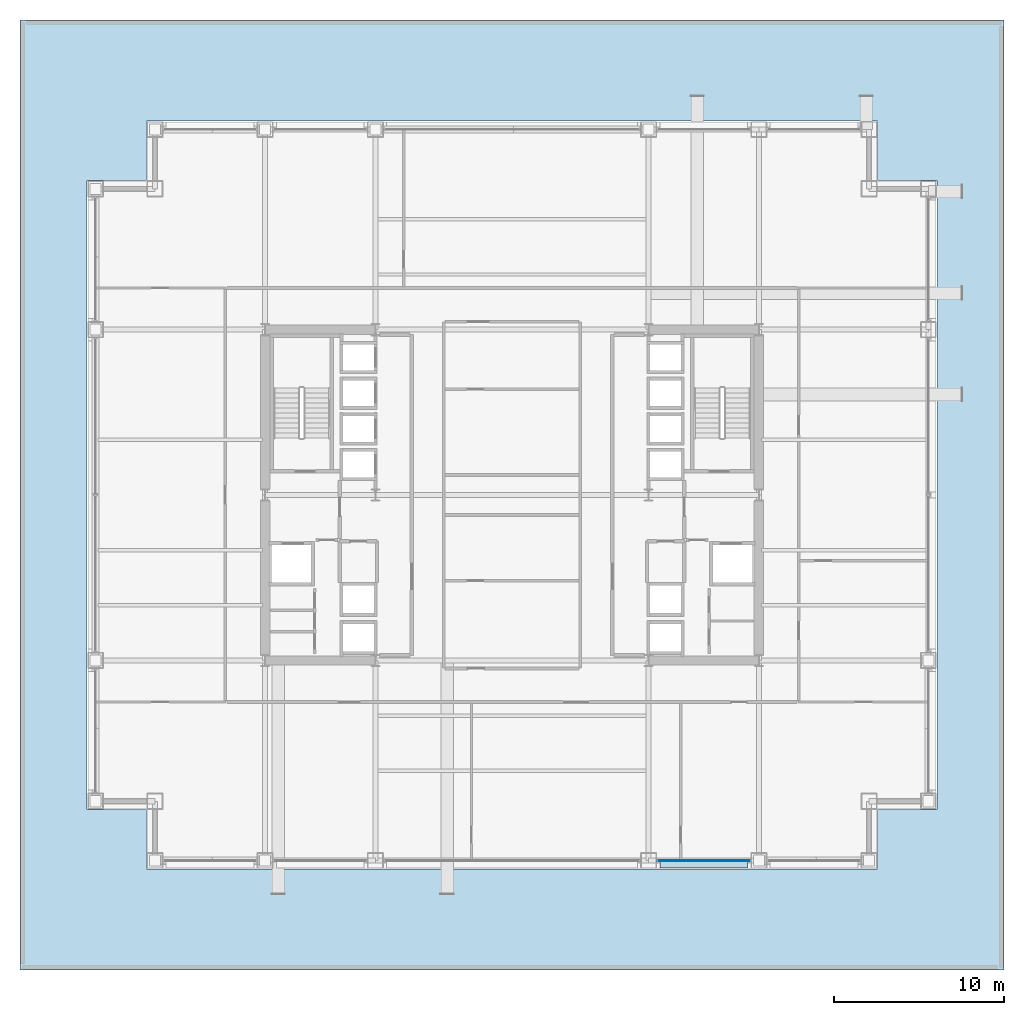
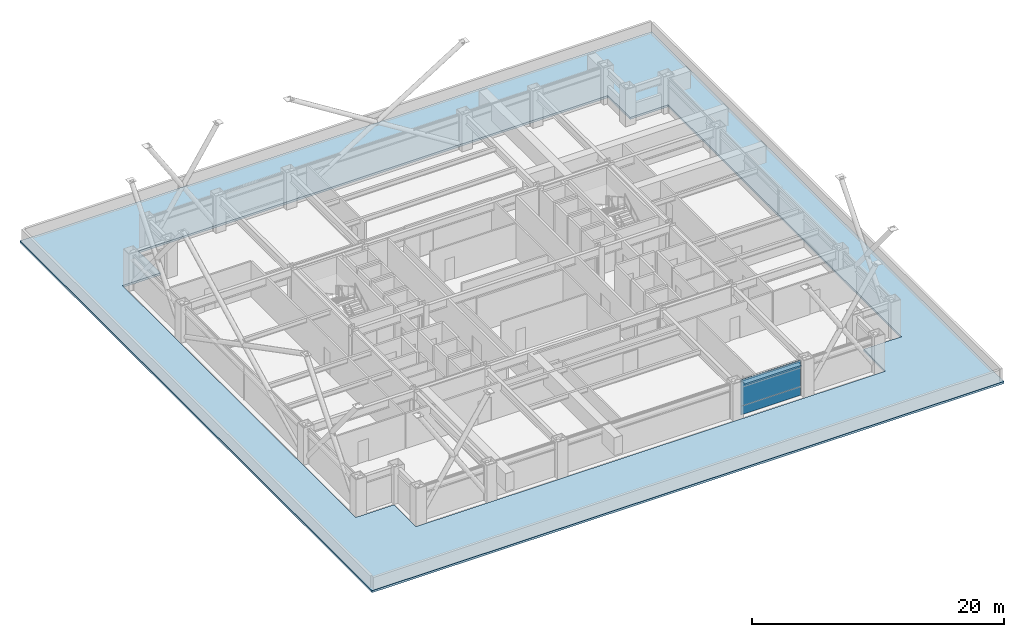
# One storey, part 27 of 33: 3 plates, 1 slab, 1 element without a shape of its own.
"""IFC4 building model written with IfcOpenShell, lengths in metres."""

from ifc_helpers import new_model, si_unit, direction, frame, origin, origin_2d, place, context, subcontext, project, spatial, polyline, rectangle, outline, extrude, material, layer, layer_set, type_object, element, aggregate, save


model = new_model("IFC4")

# Units and contexts
model_context = context("Model", 3, precision=1e-05, world=origin(), true_north=direction((0.0, 1.0)))
body_context = subcontext(model_context, "Body", "Model", "MODEL_VIEW")
ifc_project = project(units=[si_unit("LENGTHUNIT", "METRE"), si_unit("AREAUNIT", "SQUARE_METRE"), si_unit("VOLUMEUNIT", "CUBIC_METRE"), si_unit("PLANEANGLEUNIT", "RADIAN"), si_unit("MASSUNIT", "GRAM", prefix="KILO")], contexts=[model_context])

# Site, building, storey
site_placement = place(None, origin())
site = spatial("IfcSite", under=ifc_project, at=site_placement, CompositionType="ELEMENT")
building_placement = place(site_placement, origin())
building = spatial("IfcBuilding", under=site, at=building_placement, Name="Brelmoor Portico Tower", CompositionType="ELEMENT")
storey_placement = place(building_placement, frame((0.0, 0.0, 24.0)))
storey = spatial("IfcBuildingStorey", under=building, at=storey_placement, Name="L05", CompositionType="ELEMENT", Elevation=24.0)

# Curtain wall, plates
ifc_material_1 = material(Name="Anodised Aluminium Alloy 6063-T6", Category="aluminium")
ifc_layer_1 = layer(ifc_material_1, 0.179931640625)
ifc_layer_set_1 = layer_set([ifc_layer_1], Name="Anodised Aluminium Alloy 6063-T6")
curtain_wall_type = type_object("IfcCurtainWallType", Name="CW-TOWER-Z1", PredefinedType="NOTDEFINED", material=ifc_layer_set_1)
curtain_wall_placement = place(storey_placement, origin())
curtain_wall = element("IfcCurtainWall", 1, at=curtain_wall_placement, inside=storey, type_object=curtain_wall_type, Name="L05 Curtain Wall CW-L05-01-4", PredefinedType="NOTDEFINED")
ifc_material_2 = material(Name="Double-Silver Low-E Insulated Glazing", Category="glass")
ifc_layer_2 = layer(ifc_material_2, 0.035888671875)
ifc_layer_set_2 = layer_set([ifc_layer_2], Name="Double-Silver Low-E Insulated Glazing")
plate_type_1 = type_object("IfcPlateType", Name="PT-CW-GLASS", PredefinedType="CURTAIN_PANEL", material=ifc_layer_set_2)
plate_1_placement = place(storey_placement, frame((11.300048828125, -21.550048828125, 0.85009765625), z_axis=(0.0, 0.0, 1.0), x_axis=(1.0, 0.0, 0.0)))
plate_1 = element("IfcPlate", 2, at=plate_1_placement, type_object=plate_type_1, Name="CW-L05-01-4 Vision Glass Panel 00", PredefinedType="CURTAIN_PANEL", context=body_context, shape_type="SweptSolid", body=[
    extrude(rectangle(XDim=5.5, YDim=0.035888671875, at=origin_2d()), origin(), (0.0, 0.0, 1.0), 2.550048828125),
])
ifc_material_3 = material(Name="Pale Champagne Anodised Aluminium Panel", Category="aluminium")
ifc_layer_3 = layer(ifc_material_3, 0.050048828125)
ifc_layer_set_3 = layer_set([ifc_layer_3], Name="Pale Champagne Anodised Aluminium Panel")
plate_type_2 = type_object("IfcPlateType", Name="PT-CW-SPANDREL", PredefinedType="SHEET", material=ifc_layer_set_3)
plate_2_placement = place(storey_placement, frame((11.300048828125, -21.550048828125, 0.0), z_axis=(0.0, 0.0, 1.0), x_axis=(1.0, 0.0, 0.0)))
plate_2 = element("IfcPlate", 3, at=plate_2_placement, type_object=plate_type_2, Name="CW-L05-01-4 Spandrel Panel 00", PredefinedType="SHEET", context=body_context, shape_type="SweptSolid", body=[
    extrude(rectangle(XDim=5.5, YDim=0.050048828125, at=origin_2d()), origin(), (0.0, 0.0, 1.0), 0.85009765625),
])
aggregate(curtain_wall, [plate_2, plate_1])

# Plate
ifc_material_4 = material(Name="Pale Champagne Perforated Aluminium Solar Screen", Category="aluminium")
ifc_layer_4 = layer(ifc_material_4, 0.054931640625)
ifc_layer_set_4 = layer_set([ifc_layer_4], Name="Pale Champagne Perforated Aluminium Solar Screen")
plate_type_3 = type_object("IfcPlateType", Name="PT-SOLAR-LOUVRE", PredefinedType="SHEET", material=ifc_layer_set_4)
plate_3_placement = place(storey_placement, frame((11.300048828125, -21.760009765625, 3.08984375), z_axis=(0.0, 0.0, 1.0), x_axis=(1.0, 0.0, 0.0)))
element("IfcPlate", 4, at=plate_3_placement, inside=storey, type_object=plate_type_3, Name="CW-L05-01-4 Caribbean Brise-Soleil Solar Screen", PredefinedType="SHEET", context=body_context, shape_type="SweptSolid", body=[
    extrude(rectangle(XDim=5.169921875, YDim=0.4599609375, at=origin_2d()), origin(), (0.0, 0.0, 1.0), 0.139892578125),
])

# Slab
ifc_material_5 = material(Name="Concrete C40", Category="concrete")
ifc_layer_5 = layer(ifc_material_5, 0.199951171875)
ifc_layer_set_5 = layer_set([ifc_layer_5], Name="Concrete C40")
slab_type = type_object("IfcSlabType", Name="SL-ROOF-200", PredefinedType="ROOF", material=ifc_layer_set_5)
slab_placement = place(storey_placement, frame((0.0, 0.0, -0.199951171875)))
element("IfcSlab", 5, at=slab_placement, inside=storey, type_object=slab_type, Name="L05 Setback Maintenance Roof Slab", PredefinedType="ROOF", context=body_context, shape_type="SweptSolid", body=[
    extrude(outline(polyline([(-29.0, -28.0), (29.0, -28.0), (29.0, 28.0), (-29.0, 28.0), (-29.0, -28.0)]), holes=[polyline([(-21.550048828125, -22.050048828125), (21.550048828125, -22.050048828125), (21.550048828125, -18.550048828125), (25.050048828125, -18.550048828125), (25.050048828125, 18.550048828125), (21.550048828125, 18.550048828125), (21.550048828125, 22.050048828125), (-21.550048828125, 22.050048828125), (-21.550048828125, 18.550048828125), (-25.050048828125, 18.550048828125), (-25.050048828125, -18.550048828125), (-21.550048828125, -18.550048828125), (-21.550048828125, -22.050048828125)])]), origin(), (0.0, 0.0, 1.0), 0.199951171875),
])

save(model, "model.ifc")
